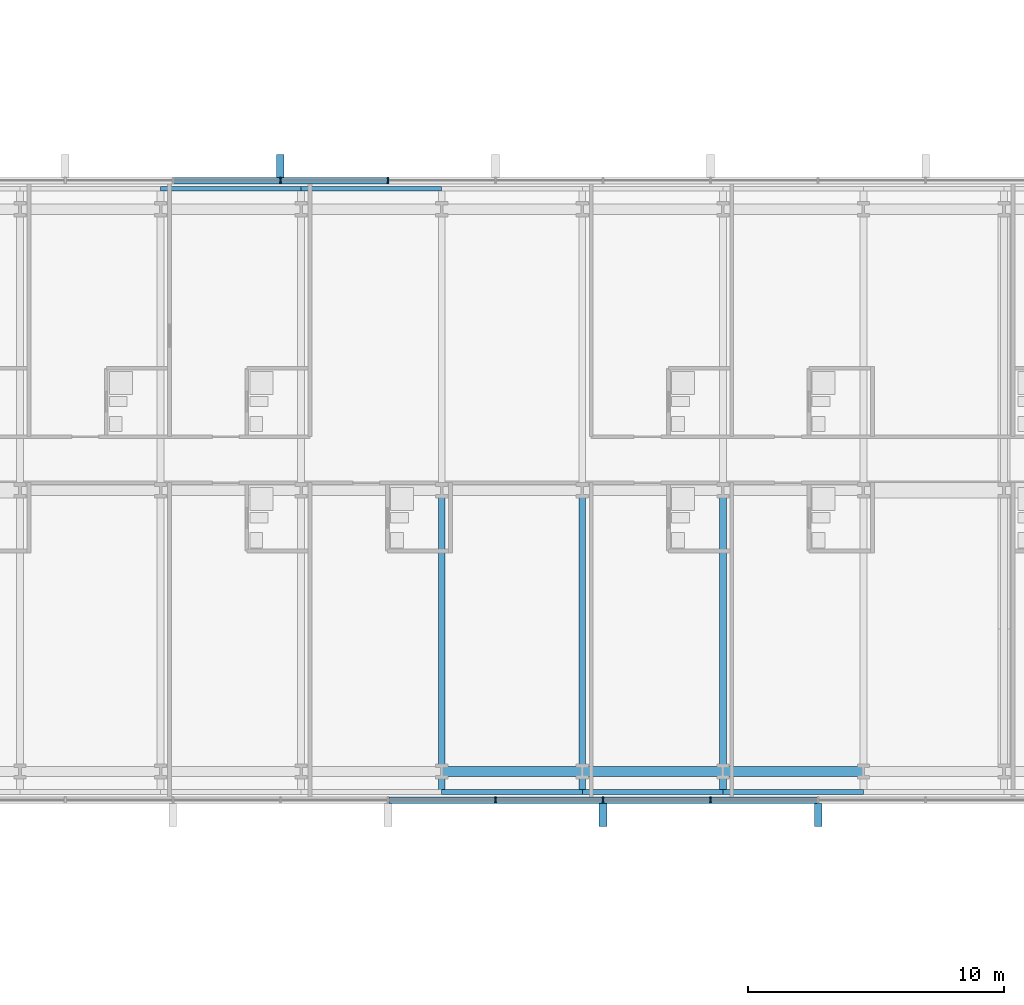
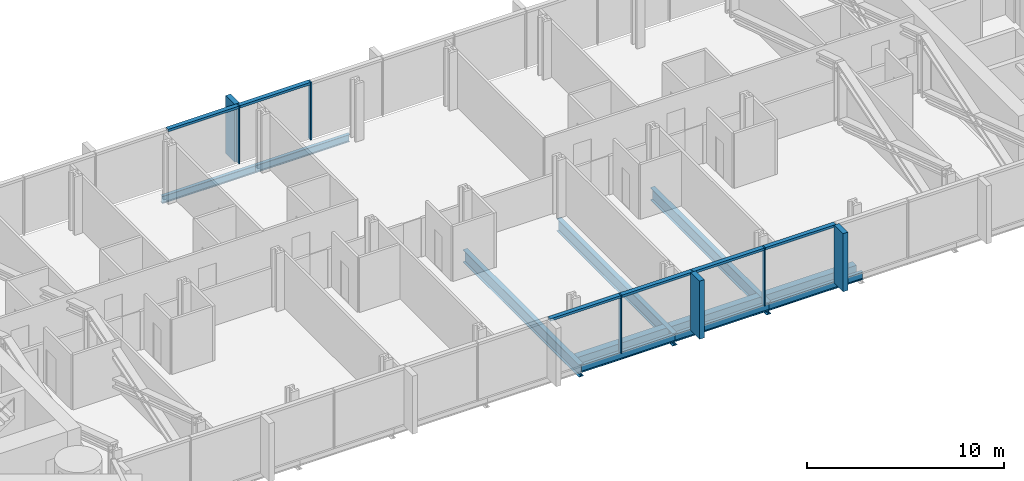
# One storey, part 6 of 22: 14 members, 11 beams, 2 elements without a shape of their own.
"""IFC4 building model written with IfcOpenShell, lengths in metres."""

from ifc_helpers import new_model, si_unit, direction, frame, origin, origin_2d, place, context, subcontext, project, spatial, rectangle, hollow_rectangle, i_section, extrude, material, material_profile, profile_set, type_object, element, aggregate, save


model = new_model("IFC4")

# Units and contexts
model_context = context("Model", 3, precision=1e-05, world=origin(), true_north=direction((0.0, 1.0)))
body_context = subcontext(model_context, "Body", "Model", "MODEL_VIEW")
ifc_project = project(units=[si_unit("LENGTHUNIT", "METRE"), si_unit("AREAUNIT", "SQUARE_METRE"), si_unit("VOLUMEUNIT", "CUBIC_METRE"), si_unit("PLANEANGLEUNIT", "RADIAN"), si_unit("MASSUNIT", "GRAM", prefix="KILO")], contexts=[model_context])

# Site, building, storey
site_placement = place(None, origin())
site = spatial("IfcSite", under=ifc_project, at=site_placement, CompositionType="ELEMENT")
building_placement = place(site_placement, origin())
building = spatial("IfcBuilding", under=site, at=building_placement, Name="Lancet Gate Hotel", CompositionType="ELEMENT")
storey_placement = place(building_placement, frame((0.0, 0.0, 226.10009765625)))
storey = spatial("IfcBuildingStorey", under=building, at=storey_placement, Name="L60", CompositionType="ELEMENT", Elevation=226.10009765625)

# Curtain wall, members
ifc_material_1 = material(Name="Aluminium curtain wall", Category="aluminium")
curtain_wall_type = type_object("IfcCurtainWallType", Name="Bridge block curtain wall", PredefinedType="USERDEFINED", material=ifc_material_1)
curtain_wall_1_placement = place(storey_placement, origin())
curtain_wall_1 = element("IfcCurtainWall", 1, at=curtain_wall_1_placement, inside=storey, type_object=curtain_wall_type, Name="Bridge block L60 curtain wall S", ObjectType="UNITISED CURTAIN WALL", PredefinedType="USERDEFINED")
ifc_material_2 = material(Name="Aluminium mullion", Category="aluminium")
ifc_material_profile_1 = material_profile(ifc_material_2, rectangle(XDim=0.06494140625, YDim=0.25, at=origin_2d()), Name="MULLION 65x250")
ifc_profile_set_1 = profile_set([ifc_material_profile_1], Name="Aluminium mullion")
member_type_1 = type_object("IfcMemberType", Name="Aluminium mullion 65x250", PredefinedType="MULLION", material=ifc_profile_set_1)
member_1_placement = place(storey_placement, frame((2.103759765625, -12.1201171875, 0.0), z_axis=(0.0, 0.0, 1.0), x_axis=(1.0, 0.0, 0.0)))
member_1 = element("IfcMember", 2, at=member_1_placement, type_object=member_type_1, Name="Bridge block L60 curtain wall S mullion 8", PredefinedType="MULLION", context=body_context, shape_type="SweptSolid", body=[
    extrude(rectangle(XDim=0.06494140625, YDim=0.25, at=origin_2d()), origin(), (0.0, 0.0, 1.0), 3.599853515625),
])
member_2_placement = place(storey_placement, frame((6.3115234375, -12.1201171875, 0.0), z_axis=(0.0, 0.0, 1.0), x_axis=(1.0, 0.0, 0.0)))
member_2 = element("IfcMember", 3, at=member_2_placement, type_object=member_type_1, Name="Bridge block L60 curtain wall S mullion 9", PredefinedType="MULLION", context=body_context, shape_type="SweptSolid", body=[
    extrude(rectangle(XDim=0.06494140625, YDim=0.25, at=origin_2d()), origin(), (0.0, 0.0, 1.0), 3.599853515625),
])
member_3_placement = place(storey_placement, frame((10.519287109375, -12.1201171875, 0.0), z_axis=(0.0, 0.0, 1.0), x_axis=(1.0, 0.0, 0.0)))
member_3 = element("IfcMember", 4, at=member_3_placement, type_object=member_type_1, Name="Bridge block L60 curtain wall S mullion 10", PredefinedType="MULLION", context=body_context, shape_type="SweptSolid", body=[
    extrude(rectangle(XDim=0.06494140625, YDim=0.25, at=origin_2d()), origin(), (0.0, 0.0, 1.0), 3.599853515625),
])

curtain_wall_2_placement = place(storey_placement, origin())
curtain_wall_2 = element("IfcCurtainWall", 5, at=curtain_wall_2_placement, inside=storey, type_object=curtain_wall_type, Name="Bridge block L60 curtain wall N", ObjectType="UNITISED CURTAIN WALL", PredefinedType="USERDEFINED")
member_4_placement = place(storey_placement, frame((-2.103759765625, 12.1201171875, 0.0), z_axis=(0.0, 0.0, 1.0), x_axis=(-1.0, 0.0, 0.0)))
member_4 = element("IfcMember", 6, at=member_4_placement, type_object=member_type_1, Name="Bridge block L60 curtain wall N mullion 8", PredefinedType="MULLION", context=body_context, shape_type="SweptSolid", body=[
    extrude(rectangle(XDim=0.06494140625, YDim=0.25, at=origin_2d()), origin(), (0.0, 0.0, 1.0), 3.599853515625),
])
member_5_placement = place(storey_placement, frame((-6.3115234375, 12.1201171875, 0.0), z_axis=(0.0, 0.0, 1.0), x_axis=(-1.0, 0.0, 0.0)))
member_5 = element("IfcMember", 7, at=member_5_placement, type_object=member_type_1, Name="Bridge block L60 curtain wall N mullion 9", PredefinedType="MULLION", context=body_context, shape_type="SweptSolid", body=[
    extrude(rectangle(XDim=0.06494140625, YDim=0.25, at=origin_2d()), origin(), (0.0, 0.0, 1.0), 3.599853515625),
])

# Member
ifc_material_3 = material(Name="Aluminium transom", Category="aluminium")
ifc_material_profile_2 = material_profile(ifc_material_3, rectangle(XDim=0.25, YDim=0.14990234375, at=origin_2d()), Name="TRANSOM 250x150")
ifc_profile_set_2 = profile_set([ifc_material_profile_2], Name="Aluminium transom")
member_type_2 = type_object("IfcMemberType", Name="Aluminium transom 250x150", PredefinedType="USERDEFINED", material=ifc_profile_set_2)
member_6_placement = place(storey_placement, frame((-2.0712890625, -12.1201171875, 3.52490234375), z_axis=(1.0, 0.0, 0.0), x_axis=(0.0, 1.0, 0.0)))
member_6 = element("IfcMember", 8, at=member_6_placement, type_object=member_type_2, Name="Bridge block L60 curtain wall S transom 7", ObjectType="TRANSOM", PredefinedType="USERDEFINED", context=body_context, shape_type="SweptSolid", body=[
    extrude(rectangle(XDim=0.25, YDim=0.14990234375, at=origin_2d()), origin(), (0.0, 0.0, 1.0), 4.142578125),
])

member_7_placement = place(storey_placement, frame((2.13623046875, -12.1201171875, 3.52490234375), z_axis=(1.0, 0.0, 0.0), x_axis=(0.0, 1.0, 0.0)))
member_7 = element("IfcMember", 9, at=member_7_placement, type_object=member_type_2, Name="Bridge block L60 curtain wall S transom 8", ObjectType="TRANSOM", PredefinedType="USERDEFINED", context=body_context, shape_type="SweptSolid", body=[
    extrude(rectangle(XDim=0.25, YDim=0.14990234375, at=origin_2d()), origin(), (0.0, 0.0, 1.0), 4.142822265625),
])

member_8_placement = place(storey_placement, frame((6.343994140625, -12.1201171875, 3.52490234375), z_axis=(1.0, 0.0, 0.0), x_axis=(0.0, 1.0, 0.0)))
member_8 = element("IfcMember", 10, at=member_8_placement, type_object=member_type_2, Name="Bridge block L60 curtain wall S transom 9", ObjectType="TRANSOM", PredefinedType="USERDEFINED", context=body_context, shape_type="SweptSolid", body=[
    extrude(rectangle(XDim=0.25, YDim=0.14990234375, at=origin_2d()), origin(), (0.0, 0.0, 1.0), 4.142822265625),
])

member_9_placement = place(storey_placement, frame((10.5517578125, -12.1201171875, 3.52490234375), z_axis=(1.0, 0.0, 0.0), x_axis=(0.0, 1.0, 0.0)))
member_9 = element("IfcMember", 11, at=member_9_placement, type_object=member_type_2, Name="Bridge block L60 curtain wall S transom 10", ObjectType="TRANSOM", PredefinedType="USERDEFINED", context=body_context, shape_type="SweptSolid", body=[
    extrude(rectangle(XDim=0.25, YDim=0.14990234375, at=origin_2d()), origin(), (0.0, 0.0, 1.0), 4.142578125),
])

member_10_placement = place(storey_placement, frame((-2.13623046875, 12.1201171875, 3.52490234375), z_axis=(-1.0, 0.0, 0.0), x_axis=(0.0, -1.0, 0.0)))
member_10 = element("IfcMember", 12, at=member_10_placement, type_object=member_type_2, Name="Bridge block L60 curtain wall N transom 8", ObjectType="TRANSOM", PredefinedType="USERDEFINED", context=body_context, shape_type="SweptSolid", body=[
    extrude(rectangle(XDim=0.25, YDim=0.14990234375, at=origin_2d()), origin(), (0.0, 0.0, 1.0), 4.142822265625),
])

member_11_placement = place(storey_placement, frame((-6.343994140625, 12.1201171875, 3.52490234375), z_axis=(-1.0, 0.0, 0.0), x_axis=(0.0, -1.0, 0.0)))
member_11 = element("IfcMember", 13, at=member_11_placement, type_object=member_type_2, Name="Bridge block L60 curtain wall N transom 9", ObjectType="TRANSOM", PredefinedType="USERDEFINED", context=body_context, shape_type="SweptSolid", body=[
    extrude(rectangle(XDim=0.25, YDim=0.14990234375, at=origin_2d()), origin(), (0.0, 0.0, 1.0), 4.142822265625),
])

# Beams
ifc_material_4 = material(Name="Steel S355", Category="steel")
ifc_material_profile_3 = material_profile(ifc_material_4, i_section(OverallWidth=0.19140625, OverallDepth=0.4599609375, WebThickness=0.010009765625, FlangeThickness=0.01611328125, FilletRadius=0.01025390625, at=origin_2d()), Name="UKB 457x191x82")
ifc_profile_set_3 = profile_set([ifc_material_profile_3], Name="Steel S355")
beam_type_1 = type_object("IfcBeamType", Name="Block edge beam UKB 457x191x82", PredefinedType="SPANDREL", material=ifc_profile_set_3)
for number, where, z_axis, x_axis, name in (
    (14, (-11.0, 11.800048828125, -0.43017578125), (1.0, 0.0, 0.0), (0.0, 1.0, 0.0), "Block edge beam N 3-4 L60"),
    (15, (-5.5, 11.800048828125, -0.43017578125), (1.0, 0.0, 0.0), (0.0, 1.0, 0.0), "Block edge beam N 4-5 L60"),
    (16, (0.0, -11.800048828125, -0.43017578125), (1.0, 0.0, 0.0), (0.0, 1.0, 0.0), "Block edge beam S 5-6 L60"),
    (17, (5.5, -11.800048828125, -0.43017578125), (1.0, 0.0, 0.0), (0.0, 1.0, 0.0), "Block edge beam S 6-7 L60"),
    (18, (11.0, -11.800048828125, -0.43017578125), (1.0, 0.0, 0.0), (0.0, 1.0, 0.0), "Block edge beam S 7-8 L60"),
):
    element("IfcBeam", number, at=place(storey_placement, frame(where, z_axis=z_axis, x_axis=x_axis)), inside=storey, type_object=beam_type_1, Name=name, PredefinedType="SPANDREL", context=body_context, shape_type="SweptSolid", body=[
        extrude(i_section(OverallWidth=0.19140625, OverallDepth=0.4599609375, WebThickness=0.010009765625, FlangeThickness=0.01611328125, FilletRadius=0.01025390625, at=origin_2d()), origin(), (0.0, 0.0, 1.0), 5.5),
    ])
ifc_material_5 = material(Name="Steel S355", Category="steel")
ifc_material_profile_4 = material_profile(ifc_material_5, hollow_rectangle(XDim=0.39990234375, YDim=0.89990234375, WallThickness=0.0400390625, at=origin_2d()), Name="BOX 900x400x40")
ifc_profile_set_4 = profile_set([ifc_material_profile_4], Name="Steel S355")
beam_type_2 = type_object("IfcBeamType", Name="Block primary beam BOX 900x400x40", PredefinedType="BEAM", material=ifc_profile_set_4)
for number, where, z_axis, x_axis, name in (
    (19, (0.0, -11.0, -0.650146484375), (1.0, 0.0, 0.0), (0.0, 1.0, 0.0), "Block primary beam S 6 L60"),
    (20, (5.5, -11.0, -0.650146484375), (1.0, 0.0, 0.0), (0.0, 1.0, 0.0), "Block primary beam S 7 L60"),
    (21, (11.0, -11.0, -0.650146484375), (1.0, 0.0, 0.0), (0.0, 1.0, 0.0), "Block primary beam S 8 L60"),
):
    element("IfcBeam", number, at=place(storey_placement, frame(where, z_axis=z_axis, x_axis=x_axis)), inside=storey, type_object=beam_type_2, Name=name, PredefinedType="BEAM", context=body_context, shape_type="SweptSolid", body=[
        extrude(hollow_rectangle(XDim=0.39990234375, YDim=0.89990234375, WallThickness=0.0400390625, at=origin_2d()), origin(), (0.0, 0.0, 1.0), 5.5),
    ])
ifc_material_6 = material(Name="Steel S355", Category="steel")
ifc_material_profile_5 = material_profile(ifc_material_6, i_section(OverallWidth=0.26806640625, OverallDepth=0.769775390625, WebThickness=0.015625, FlangeThickness=0.025390625, FilletRadius=0.0166015625, at=origin_2d()), Name="UKB 762x267x197")
ifc_profile_set_5 = profile_set([ifc_material_profile_5], Name="Steel S355")
beam_type_3 = type_object("IfcBeamType", Name="Block secondary beam UKB 762x267x197", PredefinedType="JOIST", material=ifc_profile_set_5)
for number, where, z_axis, x_axis, name in (
    (22, (0.0, -11.800048828125, -0.5849609375), (0.0, 1.0, 0.0), (-1.0, 0.0, 0.0), "Block beam x5 S L60"),
    (23, (5.5, -11.800048828125, -0.5849609375), (0.0, 1.0, 0.0), (-1.0, 0.0, 0.0), "Block beam x6 S L60"),
    (24, (11.0, -11.800048828125, -0.5849609375), (0.0, 1.0, 0.0), (-1.0, 0.0, 0.0), "Block beam x7 S L60"),
):
    element("IfcBeam", number, at=place(storey_placement, frame(where, z_axis=z_axis, x_axis=x_axis)), inside=storey, type_object=beam_type_3, Name=name, PredefinedType="JOIST", context=body_context, shape_type="SweptSolid", body=[
        extrude(i_section(OverallWidth=0.26806640625, OverallDepth=0.769775390625, WebThickness=0.015625, FlangeThickness=0.025390625, FilletRadius=0.0166015625, at=origin_2d()), origin(), (0.0, 0.0, 1.0), 11.800048828125),
    ])

# Member
ifc_material_7 = material(Name="Precast concrete C50/60", Category="concrete")
ifc_material_profile_6 = material_profile(ifc_material_7, rectangle(XDim=0.300048828125, YDim=0.89990234375, at=origin_2d()), Name="FIN 300x900")
ifc_profile_set_6 = profile_set([ifc_material_profile_6], Name="Precast concrete C50/60")
member_type_3 = type_object("IfcMemberType", Name="Exposed concrete fin 300x900", PredefinedType="USERDEFINED", material=ifc_profile_set_6)
member_12_placement = place(storey_placement, frame((6.3115234375, -12.695068359375, 0.0), z_axis=(0.0, 0.0, 1.0), x_axis=(1.0, 0.0, 0.0)))
member_12 = element("IfcMember", 25, at=member_12_placement, type_object=member_type_3, Name="Bridge block L60 curtain wall S fin 9", ObjectType="FIN", PredefinedType="USERDEFINED", context=body_context, shape_type="SweptSolid", body=[
    extrude(rectangle(XDim=0.300048828125, YDim=0.89990234375, at=origin_2d()), origin(), (0.0, 0.0, 1.0), 3.599853515625),
])

member_13_placement = place(storey_placement, frame((14.726806640625, -12.695068359375, 0.0), z_axis=(0.0, 0.0, 1.0), x_axis=(1.0, 0.0, 0.0)))
member_13 = element("IfcMember", 26, at=member_13_placement, type_object=member_type_3, Name="Bridge block L60 curtain wall S fin 11", ObjectType="FIN", PredefinedType="USERDEFINED", context=body_context, shape_type="SweptSolid", body=[
    extrude(rectangle(XDim=0.300048828125, YDim=0.89990234375, at=origin_2d()), origin(), (0.0, 0.0, 1.0), 3.599853515625),
])

aggregate(curtain_wall_1, [member_1, member_2, member_12, member_3, member_13, member_6, member_7, member_8, member_9])

member_14_placement = place(storey_placement, frame((-6.3115234375, 12.695068359375, 0.0), z_axis=(0.0, 0.0, 1.0), x_axis=(-1.0, 0.0, 0.0)))
member_14 = element("IfcMember", 27, at=member_14_placement, type_object=member_type_3, Name="Bridge block L60 curtain wall N fin 9", ObjectType="FIN", PredefinedType="USERDEFINED", context=body_context, shape_type="SweptSolid", body=[
    extrude(rectangle(XDim=0.300048828125, YDim=0.89990234375, at=origin_2d()), origin(), (0.0, 0.0, 1.0), 3.599853515625),
])

aggregate(curtain_wall_2, [member_4, member_5, member_14, member_10, member_11])

save(model, "model.ifc")
